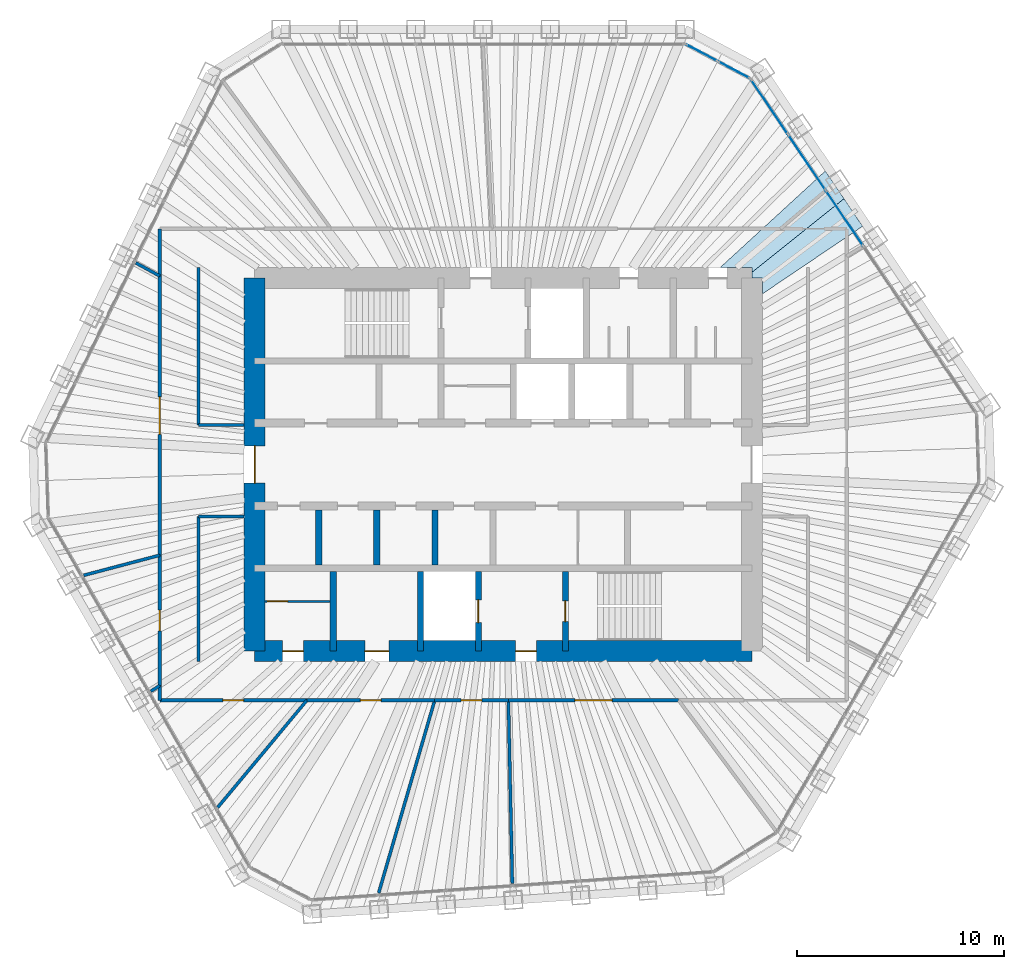
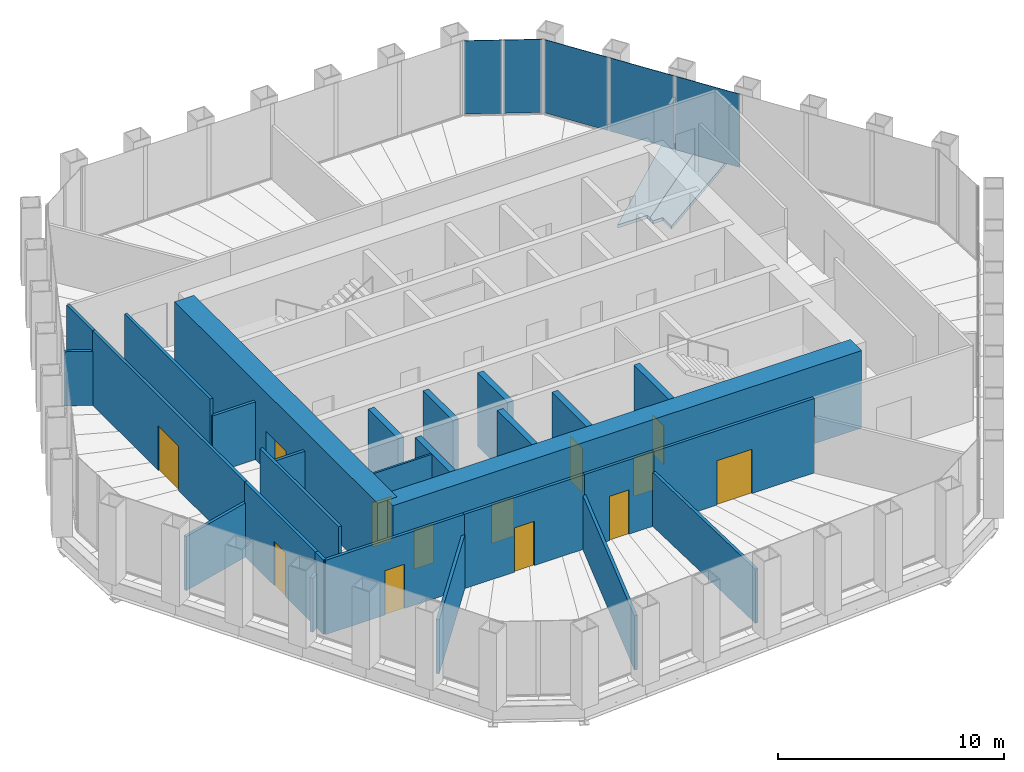
# One storey, part 11 of 14: 28 walls, 13 doors, 5 plates, 2 slabs, 13 openings, 2 elements without a shape of their own.
"""IFC4 building model written with IfcOpenShell, lengths in metres."""

from ifc_helpers import new_model, si_unit, direction, frame, frame_2d, origin, origin_2d, place, context, subcontext, project, spatial, polyline, rectangle, outline, extrude, material, layer, layer_set, type_object, element, fill, aggregate, save


model = new_model("IFC4")

# Units and contexts
model_context = context("Model", 3, precision=1e-05, world=origin(), true_north=direction((0.0, 1.0)))
body_context = subcontext(model_context, "Body", "Model", "MODEL_VIEW")
ifc_project = project(units=[si_unit("LENGTHUNIT", "METRE"), si_unit("AREAUNIT", "SQUARE_METRE"), si_unit("VOLUMEUNIT", "CUBIC_METRE"), si_unit("PLANEANGLEUNIT", "RADIAN"), si_unit("MASSUNIT", "GRAM", prefix="KILO")], contexts=[model_context])

# Site, building, storey
site_placement = place(None, origin())
site = spatial("IfcSite", under=ifc_project, at=site_placement, CompositionType="ELEMENT")
building_placement = place(site_placement, origin())
building = spatial("IfcBuilding", under=site, at=building_placement, Name="Qingtian Harvest Tower", CompositionType="ELEMENT")
storey_placement = place(building_placement, frame((0.0, 0.0, 295.60009765625)))
storey = spatial("IfcBuildingStorey", under=building, at=storey_placement, Name="L65", CompositionType="ELEMENT", Elevation=295.60009765625)

# Slabs
ifc_material_1 = material(Name="Concrete fc' 35 MPa", Category="concrete")
ifc_layer_1 = layer(ifc_material_1, 0.169921875)
ifc_layer_set_1 = layer_set([ifc_layer_1], Name="Composite floor slab FS17 170")
slab_type = type_object("IfcSlabType", Name="Composite floor slab FS17 170", PredefinedType="FLOOR", material=ifc_layer_set_1)
slab_1_placement = place(storey_placement, frame((0.0, 0.0, -0.170166015625)))
element("IfcSlab", 1, at=slab_1_placement, inside=storey, type_object=slab_type, Name="Floor slab L65 panel D47", PredefinedType="FLOOR", context=body_context, shape_type="SweptSolid", body=[
    extrude(outline(polyline([(12.5, 9.0), (12.0, 9.0), (12.0, 9.2734375), (16.44189453125, 12.829345703125), (17.341064453125, 11.496337890625), (12.5, 8.22998046875), (12.5, 9.0)])), origin(), (0.0, 0.0, 1.0), 0.170166015625),
])
slab_2_placement = place(storey_placement, frame((0.0, 0.0, -0.170166015625)))
element("IfcSlab", 2, at=slab_2_placement, inside=storey, type_object=slab_type, Name="Floor slab L65 panel D48", PredefinedType="FLOOR", context=body_context, shape_type="SweptSolid", body=[
    extrude(outline(polyline([(12.0, 9.5), (10.4599609375, 9.5), (15.541259765625, 14.16455078125), (16.44189453125, 12.829345703125), (12.0, 9.2734375), (12.0, 9.5)])), origin(), (0.0, 0.0, 1.0), 0.170166015625),
])

# Curtain wall, plates
ifc_material_2 = material(Name="Bronze-anodised aluminium curtain wall", Category="aluminium")
curtain_wall_type = type_object("IfcCurtainWallType", Name="Curtain wall CW5 upper office", PredefinedType="USERDEFINED", material=ifc_material_2)
curtain_wall_1_placement = place(storey_placement, origin())
curtain_wall_1 = element("IfcCurtainWall", 3, at=curtain_wall_1_placement, inside=storey, type_object=curtain_wall_type, Name="Curtain wall CW5 L65 NC", ObjectType="RECESSED CURTAIN WALL", PredefinedType="USERDEFINED")
ifc_material_3 = material(Name="Bronze-tinted laminated insulating glass", Category="glass")
ifc_layer_2 = layer(ifc_material_3, 0.030029296875)
ifc_layer_set_2 = layer_set([ifc_layer_2], Name="Glazed panel CWP tinted IGU")
plate_type = type_object("IfcPlateType", Name="Glazed panel CWP tinted IGU", PredefinedType="CURTAIN_PANEL", material=ifc_layer_set_2)
plate_1_placement = place(storey_placement, frame((9.57080078125, 19.8720703125, 0.06494140625), z_axis=(0.0, 0.0, 1.0), x_axis=(0.882947592859, -0.469471562786, 0.0)))
plate_1 = element("IfcPlate", 4, at=plate_1_placement, type_object=plate_type, Name="CW5 panel 1.1", PredefinedType="CURTAIN_PANEL", context=body_context, shape_type="SweptSolid", body=[
    extrude(rectangle(XDim=1.69287109375, YDim=0.030029296875, at=origin_2d()), origin(), (0.0, 0.0, 1.0), 3.965087890625),
])
plate_2_placement = place(storey_placement, frame((11.122802734375, 19.046875, 0.06494140625), z_axis=(0.0, 0.0, 1.0), x_axis=(0.882947592859, -0.469471562786, 0.0)))
plate_2 = element("IfcPlate", 5, at=plate_2_placement, type_object=plate_type, Name="CW5 panel 2.1", PredefinedType="CURTAIN_PANEL", context=body_context, shape_type="SweptSolid", body=[
    extrude(rectangle(XDim=1.69287109375, YDim=0.030029296875, at=origin_2d()), origin(), (0.0, 0.0, 1.0), 3.965087890625),
])
aggregate(curtain_wall_1, [plate_1, plate_2])

curtain_wall_2_placement = place(storey_placement, origin())
curtain_wall_2 = element("IfcCurtainWall", 6, at=curtain_wall_2_placement, inside=storey, type_object=curtain_wall_type, Name="Curtain wall CW5 L65 NE0-5", ObjectType="RECESSED CURTAIN WALL", PredefinedType="USERDEFINED")
plate_3_placement = place(storey_placement, frame((12.844970703125, 17.259033203125, 0.06494140625), z_axis=(0.0, 0.0, 1.0), x_axis=(0.559192903471, -0.829037572555, 0.0)))
plate_3 = element("IfcPlate", 7, at=plate_3_placement, type_object=plate_type, Name="CW5 panel 1.1", PredefinedType="CURTAIN_PANEL", context=body_context, shape_type="SweptSolid", body=[
    extrude(rectangle(XDim=3.150634765625, YDim=0.030029296875, at=origin_2d()), origin(), (0.0, 0.0, 1.0), 3.965087890625),
])
plate_4_placement = place(storey_placement, frame((14.652099609375, 14.579833984375, 0.06494140625), z_axis=(0.0, 0.0, 1.0), x_axis=(0.559192903471, -0.829037572555, 0.0)))
plate_4 = element("IfcPlate", 8, at=plate_4_placement, type_object=plate_type, Name="CW5 panel 2.1", PredefinedType="CURTAIN_PANEL", context=body_context, shape_type="SweptSolid", body=[
    extrude(rectangle(XDim=3.18310546875, YDim=0.030029296875, at=origin_2d()), origin(), (0.0, 0.0, 1.0), 3.965087890625),
])
plate_5_placement = place(storey_placement, frame((16.46826171875, 11.886962890625, 0.06494140625), z_axis=(0.0, 0.0, 1.0), x_axis=(0.559192903471, -0.829037572555, 0.0)))
plate_5 = element("IfcPlate", 9, at=plate_5_placement, type_object=plate_type, Name="CW5 panel 3.1", PredefinedType="CURTAIN_PANEL", context=body_context, shape_type="SweptSolid", body=[
    extrude(rectangle(XDim=3.18310546875, YDim=0.030029296875, at=origin_2d()), origin(), (0.0, 0.0, 1.0), 3.965087890625),
])
aggregate(curtain_wall_2, [plate_3, plate_4, plate_5])

# Walls
ifc_material_4 = material(Name="Precast concrete shaft panel", Category="concrete")
ifc_layer_3 = layer(ifc_material_4, 0.300048828125)
ifc_layer_set_3 = layer_set([ifc_layer_3], Name="Core shaft partition SW1 300")
wall_type_1 = type_object("IfcWallType", Name="Core shaft partition SW1 300", PredefinedType="PARTITIONING", material=ifc_layer_set_3)
for number, where, z_axis, x_axis, name in (
    (10, (-8.89990234375, -4.85009765625, 0.0), (0.0, 0.0, 1.0), (0.0, 1.0, 0.0), "Core shaft partition XB1 L65"),
    (11, (-6.10009765625, -4.85009765625, 0.0), (0.0, 0.0, 1.0), (0.0, 1.0, 0.0), "Core shaft partition XB2 L65"),
    (12, (-3.300048828125, -4.85009765625, 0.0), (0.0, 0.0, 1.0), (0.0, 1.0, 0.0), "Core shaft partition XB3 L65"),
):
    element("IfcWall", number, at=place(storey_placement, frame(where, z_axis=z_axis, x_axis=x_axis)), inside=storey, type_object=wall_type_1, Name=name, PredefinedType="PARTITIONING", context=body_context, shape_type="SweptSolid", body=[
        extrude(rectangle(XDim=2.650146484375, YDim=0.300048828125, at=frame_2d((1.3251953125, 0.0))), origin(), (0.0, 0.0, 1.0), 3.97998046875),
    ])
for number, where, z_axis, x_axis, name in (
    (13, (-8.199951171875, -9.0, 0.0), (0.0, 0.0, 1.0), (0.0, 1.0, 0.0), "Core shaft partition XS1 L65"),
    (14, (-4.0, -9.0, 0.0), (0.0, 0.0, 1.0), (0.0, 1.0, 0.0), "Core shaft partition XS2 L65"),
):
    element("IfcWall", number, at=place(storey_placement, frame(where, z_axis=z_axis, x_axis=x_axis)), inside=storey, type_object=wall_type_1, Name=name, PredefinedType="PARTITIONING", context=body_context, shape_type="SweptSolid", body=[
        extrude(rectangle(XDim=3.85009765625, YDim=0.300048828125, at=frame_2d((1.925048828125, 0.0))), origin(), (0.0, 0.0, 1.0), 3.97998046875),
    ])

# Wall, opening, door
wall_1_placement = place(storey_placement, frame((-1.199951171875, -9.0, 0.0), z_axis=(0.0, 0.0, 1.0), x_axis=(0.0, 1.0, 0.0)))
wall_1 = element("IfcWall", 15, at=wall_1_placement, inside=storey, type_object=wall_type_1, Name="Core shaft partition XS3 L65", PredefinedType="PARTITIONING", context=body_context, shape_type="SweptSolid", body=[
    extrude(rectangle(XDim=3.85009765625, YDim=0.300048828125, at=frame_2d((1.925048828125, 0.0))), origin(), (0.0, 0.0, 1.0), 3.97998046875),
])
opening_1_placement = place(wall_1_placement, frame((1.375, 0.0, 0.0)))
opening_1 = element("IfcOpeningElement", 16, at=opening_1_placement, cuts=wall_1, Name="Opening LD1", PredefinedType="OPENING", context=body_context, shape_type="SweptSolid", body=[
    extrude(rectangle(XDim=1.10009765625, YDim=2.39990234375, at=frame_2d((0.550048828125, 1.199951171875))), frame((0.0, 0.159912109375, 0.0), z_axis=(0.0, -1.0, 0.0), x_axis=(1.0, 0.0, 0.0)), (0.0, 0.0, 1.0), 0.320068359375),
])
ifc_material_5 = material(Name="Stainless steel lift landing door", Category="steel")
door_type_1 = type_object("IfcDoorType", Name="Lift landing door LD1 1 HR", OperationType="DOUBLE_DOOR_SLIDING", PredefinedType="DOOR", material=ifc_material_5)
door_1_placement = place(opening_1_placement, origin())
door_1 = element("IfcDoor", 17, at=door_1_placement, inside=storey, type_object=door_type_1, Name="FL2 landing door L65", OperationType="DOUBLE_DOOR_SLIDING", OverallHeight=2.39990234375, OverallWidth=1.10009765625, PredefinedType="DOOR", context=body_context, shape_type="SweptSolid", body=[
    extrude(rectangle(XDim=1.10009765625, YDim=2.39990234375, at=frame_2d((0.550048828125, 1.199951171875))), frame((0.0, 0.02490234375, 0.0), z_axis=(0.0, -1.0, 0.0), x_axis=(1.0, 0.0, 0.0)), (0.0, 0.0, 1.0), 0.050048828125),
])
fill(opening_1, door_1)

wall_2_placement = place(storey_placement, frame((3.0, -9.0, 0.0), z_axis=(0.0, 0.0, 1.0), x_axis=(0.0, 1.0, 0.0)))
wall_2 = element("IfcWall", 18, at=wall_2_placement, inside=storey, type_object=wall_type_1, Name="Core shaft partition XS4 L65", PredefinedType="PARTITIONING", context=body_context, shape_type="SweptSolid", body=[
    extrude(rectangle(XDim=3.85009765625, YDim=0.300048828125, at=frame_2d((1.925048828125, 0.0))), origin(), (0.0, 0.0, 1.0), 3.97998046875),
])
opening_2_placement = place(wall_2_placement, frame((1.425048828125, 0.0, 0.0)))
opening_2 = element("IfcOpeningElement", 19, at=opening_2_placement, cuts=wall_2, Name="Opening FD1", PredefinedType="OPENING", context=body_context, shape_type="SweptSolid", body=[
    extrude(rectangle(XDim=1.0, YDim=2.10009765625, at=frame_2d((0.5, 1.050048828125))), frame((0.0, 0.159912109375, 0.0), z_axis=(0.0, -1.0, 0.0), x_axis=(1.0, 0.0, 0.0)), (0.0, 0.0, 1.0), 0.320068359375),
])
ifc_material_6 = material(Name="Steel-faced door leaf", Category="steel")
door_type_2 = type_object("IfcDoorType", Name="Fire door FD1 single 1 HR", OperationType="SINGLE_SWING_LEFT", PredefinedType="DOOR", material=ifc_material_6)
door_2_placement = place(opening_2_placement, origin())
door_2 = element("IfcDoor", 20, at=door_2_placement, inside=storey, type_object=door_type_2, Name="S2 door L65", OperationType="SINGLE_SWING_RIGHT", OverallHeight=2.10009765625, OverallWidth=1.0, PredefinedType="DOOR", context=body_context, shape_type="SweptSolid", body=[
    extrude(rectangle(XDim=1.0, YDim=2.10009765625, at=frame_2d((0.5, 1.050048828125))), frame((0.0, 0.02490234375, 0.0), z_axis=(0.0, -1.0, 0.0), x_axis=(1.0, 0.0, 0.0)), (0.0, 0.0, 1.0), 0.050048828125),
])
fill(opening_2, door_2)

# Wall, openings, doors
ifc_material_7 = material(Name="Concrete fc' 70 MPa", Category="concrete")
ifc_layer_4 = layer(ifc_material_7, 1.0)
ifc_layer_set_4 = layer_set([ifc_layer_4], Name="Core wall RC3 1000")
wall_type_2 = type_object("IfcWallType", Name="Core wall RC3 1000", PredefinedType="SHEAR", material=ifc_layer_set_4)
wall_3_placement = place(storey_placement, frame((-12.0, -9.0, 0.0), z_axis=(0.0, 0.0, 1.0), x_axis=(1.0, 0.0, 0.0)))
wall_3 = element("IfcWall", 21, at=wall_3_placement, inside=storey, type_object=wall_type_2, Name="Core wall CS L65", PredefinedType="SHEAR", context=body_context, shape_type="SweptSolid", body=[
    extrude(rectangle(XDim=24.0, YDim=1.0, at=frame_2d((12.0, 0.0))), origin(), (0.0, 0.0, 1.0), 4.199951171875),
])
opening_3_placement = place(wall_3_placement, frame((1.35009765625, 0.0, 0.0)))
opening_3 = element("IfcOpeningElement", 22, at=opening_3_placement, cuts=wall_3, Name="Opening FD1", PredefinedType="OPENING", context=body_context, shape_type="SweptSolid", body=[
    extrude(rectangle(XDim=1.0, YDim=2.10009765625, at=frame_2d((0.5, 1.050048828125))), frame((0.0, 0.510009765625, 0.0), z_axis=(0.0, -1.0, 0.0), x_axis=(1.0, 0.0, 0.0)), (0.0, 0.0, 1.0), 1.02001953125),
])
opening_4_placement = place(wall_3_placement, frame((5.324951171875, 0.0, 0.0)))
opening_4 = element("IfcOpeningElement", 23, at=opening_4_placement, cuts=wall_3, Name="Opening AD1", PredefinedType="OPENING", context=body_context, shape_type="SweptSolid", body=[
    extrude(rectangle(XDim=1.14990234375, YDim=2.10009765625, at=frame_2d((0.574951171875, 1.050048828125))), frame((0.0, 0.510009765625, 0.0), z_axis=(0.0, -1.0, 0.0), x_axis=(1.0, 0.0, 0.0)), (0.0, 0.0, 1.0), 1.02001953125),
])
opening_5_placement = place(wall_3_placement, frame((12.60009765625, 0.0, 0.0)))
opening_5 = element("IfcOpeningElement", 24, at=opening_5_placement, cuts=wall_3, Name="Opening FD1", PredefinedType="OPENING", context=body_context, shape_type="SweptSolid", body=[
    extrude(rectangle(XDim=1.0, YDim=2.10009765625, at=frame_2d((0.5, 1.050048828125))), frame((0.0, 0.510009765625, 0.0), z_axis=(0.0, -1.0, 0.0), x_axis=(1.0, 0.0, 0.0)), (0.0, 0.0, 1.0), 1.02001953125),
])
ifc_material_8 = material(Name="Laminated timber door leaf", Category="wood")
door_type_3 = type_object("IfcDoorType", Name="Accessible WC door AD1 single", OperationType="SINGLE_SWING_LEFT", PredefinedType="DOOR", material=ifc_material_8)
door_3_placement = place(opening_4_placement, origin())
door_3 = element("IfcDoor", 25, at=door_3_placement, inside=storey, type_object=door_type_3, Name="AWC door L65", OperationType="SINGLE_SWING_LEFT", OverallHeight=2.10009765625, OverallWidth=1.14990234375, PredefinedType="DOOR", context=body_context, shape_type="SweptSolid", body=[
    extrude(rectangle(XDim=1.14990234375, YDim=2.10009765625, at=frame_2d((0.574951171875, 1.050048828125))), frame((0.0, 0.02490234375, 0.0), z_axis=(0.0, -1.0, 0.0), x_axis=(1.0, 0.0, 0.0)), (0.0, 0.0, 1.0), 0.050048828125),
])
fill(opening_4, door_3)
door_4_placement = place(opening_3_placement, origin())
door_4 = element("IfcDoor", 26, at=door_4_placement, inside=storey, type_object=door_type_2, Name="CLN door L65", OperationType="SINGLE_SWING_RIGHT", OverallHeight=2.10009765625, OverallWidth=1.0, PredefinedType="DOOR", context=body_context, shape_type="SweptSolid", body=[
    extrude(rectangle(XDim=1.0, YDim=2.10009765625, at=frame_2d((0.5, 1.050048828125))), frame((0.0, 0.02490234375, 0.0), z_axis=(0.0, -1.0, 0.0), x_axis=(1.0, 0.0, 0.0)), (0.0, 0.0, 1.0), 0.050048828125),
])
fill(opening_3, door_4)
door_5_placement = place(opening_5_placement, origin())
door_5 = element("IfcDoor", 27, at=door_5_placement, inside=storey, type_object=door_type_2, Name="V2 door L65", OperationType="SINGLE_SWING_LEFT", OverallHeight=2.10009765625, OverallWidth=1.0, PredefinedType="DOOR", context=body_context, shape_type="SweptSolid", body=[
    extrude(rectangle(XDim=1.0, YDim=2.10009765625, at=frame_2d((0.5, 1.050048828125))), frame((0.0, 0.02490234375, 0.0), z_axis=(0.0, -1.0, 0.0), x_axis=(1.0, 0.0, 0.0)), (0.0, 0.0, 1.0), 0.050048828125),
])
fill(opening_5, door_5)

# Wall, opening, door
wall_4_placement = place(storey_placement, frame((-12.0, -9.0, 0.0), z_axis=(0.0, 0.0, 1.0), x_axis=(0.0, 1.0, 0.0)))
wall_4 = element("IfcWall", 28, at=wall_4_placement, inside=storey, type_object=wall_type_2, Name="Core wall CW L65", PredefinedType="SHEAR", context=body_context, shape_type="SweptSolid", body=[
    extrude(rectangle(XDim=18.0, YDim=1.0, at=frame_2d((9.0, 0.0))), origin(), (0.0, 0.0, 1.0), 4.199951171875),
])
opening_6_placement = place(wall_4_placement, frame((8.10009765625, 0.0, 0.0)))
opening_6 = element("IfcOpeningElement", 29, at=opening_6_placement, cuts=wall_4, Name="Opening FD2", PredefinedType="OPENING", context=body_context, shape_type="SweptSolid", body=[
    extrude(rectangle(XDim=1.800048828125, YDim=2.10009765625, at=frame_2d((0.89990234375, 1.050048828125))), frame((0.0, 0.510009765625, 0.0), z_axis=(0.0, -1.0, 0.0), x_axis=(1.0, 0.0, 0.0)), (0.0, 0.0, 1.0), 1.02001953125),
])
ifc_material_9 = material(Name="Steel-faced door leaf", Category="steel")
door_type_4 = type_object("IfcDoorType", Name="Fire door FD2 double 1 HR", OperationType="DOUBLE_DOOR_DOUBLE_SWING", PredefinedType="DOOR", material=ifc_material_9)
door_6_placement = place(opening_6_placement, origin())
door_6 = element("IfcDoor", 30, at=door_6_placement, inside=storey, type_object=door_type_4, Name="LOBBY-W door L65", OperationType="DOUBLE_DOOR_DOUBLE_SWING", OverallHeight=2.10009765625, OverallWidth=1.800048828125, PredefinedType="DOOR", context=body_context, shape_type="SweptSolid", body=[
    extrude(rectangle(XDim=1.800048828125, YDim=2.10009765625, at=frame_2d((0.89990234375, 1.050048828125))), frame((0.0, 0.02490234375, 0.0), z_axis=(0.0, -1.0, 0.0), x_axis=(1.0, 0.0, 0.0)), (0.0, 0.0, 1.0), 0.050048828125),
])
fill(opening_6, door_6)

# Walls
ifc_material_10 = material(Name="Gypsum board on steel studs", Category="steel")
ifc_layer_5 = layer(ifc_material_10, 0.14990234375)
ifc_layer_set_5 = layer_set([ifc_layer_5], Name="Partition PT1 150")
wall_type_3 = type_object("IfcWallType", Name="Partition PT1 150", PredefinedType="PARTITIONING", material=ifc_layer_set_5)
wall_5_placement = place(storey_placement, frame((-17.72900390625, 9.72998046875, 0.0), z_axis=(0.0, 0.0, 1.0), x_axis=(0.87667364743, -0.481085559855, 0.0)))
element("IfcWall", 31, at=wall_5_placement, inside=storey, type_object=wall_type_3, Name="Workplace zone wall L65", PredefinedType="PARTITIONING", context=body_context, shape_type="SweptSolid", body=[
    extrude(rectangle(XDim=1.31640625, YDim=0.14990234375, at=frame_2d((0.658203125, 0.0))), origin(), (0.0, 0.0, 1.0), 2.929931640625),
])
wall_6_placement = place(storey_placement, frame((-16.574951171875, 9.0966796875, 0.0), z_axis=(0.0, 0.0, 1.0), x_axis=(0.0, 1.0, 0.0)))
element("IfcWall", 32, at=wall_6_placement, inside=storey, type_object=wall_type_3, Name="Workplace zone wall L65", PredefinedType="PARTITIONING", context=body_context, shape_type="SweptSolid", body=[
    extrude(rectangle(XDim=2.2783203125, YDim=0.14990234375, at=frame_2d((1.13916015625, 0.0))), origin(), (0.0, 0.0, 1.0), 4.02978515625),
])

# Wall, opening, door
wall_7_placement = place(storey_placement, frame((8.46142578125, -11.375, 0.0), z_axis=(0.0, 0.0, 1.0), x_axis=(-1.0, 0.0, 0.0)))
wall_7 = element("IfcWall", 33, at=wall_7_placement, inside=storey, type_object=wall_type_3, Name="Workplace zone wall L65", PredefinedType="PARTITIONING", context=body_context, shape_type="SweptSolid", body=[
    extrude(rectangle(XDim=8.21484375, YDim=0.14990234375, at=frame_2d((4.107421875, 0.0))), origin(), (0.0, 0.0, 1.0), 4.02978515625),
])
opening_7_placement = place(wall_7_placement, frame((3.20751953125, 0.0, 0.0)))
opening_7 = element("IfcOpeningElement", 34, at=opening_7_placement, cuts=wall_7, Name="Opening D3", PredefinedType="OPENING", context=body_context, shape_type="SweptSolid", body=[
    extrude(rectangle(XDim=1.800048828125, YDim=2.39990234375, at=frame_2d((0.89990234375, 1.199951171875))), frame((0.0, 0.0849609375, 0.0), z_axis=(0.0, -1.0, 0.0), x_axis=(1.0, 0.0, 0.0)), (0.0, 0.0, 1.0), 0.169921875),
])
ifc_material_11 = material(Name="Laminated timber door leaf", Category="wood")
door_type_5 = type_object("IfcDoorType", Name="Room door D3 double", OperationType="DOUBLE_DOOR_DOUBLE_SWING", PredefinedType="DOOR", material=ifc_material_11)
door_7_placement = place(opening_7_placement, origin())
door_7 = element("IfcDoor", 35, at=door_7_placement, inside=storey, type_object=door_type_5, Name="Workplace zone door L65", OperationType="DOUBLE_DOOR_DOUBLE_SWING", OverallHeight=2.39990234375, OverallWidth=1.800048828125, PredefinedType="DOOR", context=body_context, shape_type="SweptSolid", body=[
    extrude(rectangle(XDim=1.800048828125, YDim=2.39990234375, at=frame_2d((0.89990234375, 1.199951171875))), frame((0.0, 0.02490234375, 0.0), z_axis=(0.0, -1.0, 0.0), x_axis=(1.0, 0.0, 0.0)), (0.0, 0.0, 1.0), 0.050048828125),
])
fill(opening_7, door_7)

# Wall
wall_8_placement = place(storey_placement, frame((0.43798828125, -20.21875, 0.0), z_axis=(0.0, 0.0, 1.0), x_axis=(-0.021638042243, 0.999765870156, 0.0)))
element("IfcWall", 36, at=wall_8_placement, inside=storey, type_object=wall_type_3, Name="Pantry wall L65", PredefinedType="PARTITIONING", context=body_context, shape_type="SweptSolid", body=[
    extrude(rectangle(XDim=8.845703125, YDim=0.14990234375, at=frame_2d((4.4228515625, 0.0))), origin(), (0.0, 0.0, 1.0), 2.929931640625),
])

# Wall, opening, door
wall_9_placement = place(storey_placement, frame((0.24658203125, -11.375, 0.0), z_axis=(0.0, 0.0, 1.0), x_axis=(-1.0, 0.0, 0.0)))
wall_9 = element("IfcWall", 37, at=wall_9_placement, inside=storey, type_object=wall_type_3, Name="Pantry wall L65", PredefinedType="PARTITIONING", context=body_context, shape_type="SweptSolid", body=[
    extrude(rectangle(XDim=3.55419921875, YDim=0.14990234375, at=frame_2d((1.777099609375, 0.0))), origin(), (0.0, 0.0, 1.0), 4.02978515625),
])
opening_8_placement = place(wall_9_placement, frame((1.277099609375, 0.0, 0.0)))
opening_8 = element("IfcOpeningElement", 38, at=opening_8_placement, cuts=wall_9, Name="Opening D2", PredefinedType="OPENING", context=body_context, shape_type="SweptSolid", body=[
    extrude(rectangle(XDim=1.0, YDim=2.39990234375, at=frame_2d((0.5, 1.199951171875))), frame((0.0, 0.0849609375, 0.0), z_axis=(0.0, -1.0, 0.0), x_axis=(1.0, 0.0, 0.0)), (0.0, 0.0, 1.0), 0.169921875),
])
ifc_material_12 = material(Name="Laminated timber door leaf", Category="wood")
door_type_6 = type_object("IfcDoorType", Name="Room door D2 single", OperationType="SINGLE_SWING_LEFT", PredefinedType="DOOR", material=ifc_material_12)
door_8_placement = place(opening_8_placement, origin())
door_8 = element("IfcDoor", 39, at=door_8_placement, inside=storey, type_object=door_type_6, Name="Pantry door L65", OperationType="SINGLE_SWING_LEFT", OverallHeight=2.39990234375, OverallWidth=1.0, PredefinedType="DOOR", context=body_context, shape_type="SweptSolid", body=[
    extrude(rectangle(XDim=1.0, YDim=2.39990234375, at=frame_2d((0.5, 1.199951171875))), frame((0.0, 0.02490234375, 0.0), z_axis=(0.0, -1.0, 0.0), x_axis=(1.0, 0.0, 0.0)), (0.0, 0.0, 1.0), 0.050048828125),
])
fill(opening_8, door_8)

# Wall
wall_10_placement = place(storey_placement, frame((-6.011962890625, -20.67578125, 0.0), z_axis=(0.0, 0.0, 1.0), x_axis=(0.279202358069, 0.960232286089, 0.0)))
element("IfcWall", 40, at=wall_10_placement, inside=storey, type_object=wall_type_3, Name="Focus room wall L65", PredefinedType="PARTITIONING", context=body_context, shape_type="SweptSolid", body=[
    extrude(rectangle(XDim=9.68603515625, YDim=0.14990234375, at=frame_2d((4.843017578125, 0.0))), origin(), (0.0, 0.0, 1.0), 2.929931640625),
])

# Wall, opening, door
wall_11_placement = place(storey_placement, frame((-3.3076171875, -11.375, 0.0), z_axis=(0.0, 0.0, 1.0), x_axis=(-1.0, 0.0, 0.0)))
wall_11 = element("IfcWall", 41, at=wall_11_placement, inside=storey, type_object=wall_type_3, Name="Focus room wall L65", PredefinedType="PARTITIONING", context=body_context, shape_type="SweptSolid", body=[
    extrude(rectangle(XDim=6.165283203125, YDim=0.14990234375, at=frame_2d((3.08251953125, 0.0))), origin(), (0.0, 0.0, 1.0), 4.02978515625),
])
opening_9_placement = place(wall_11_placement, frame((2.582763671875, 0.0, 0.0)))
opening_9 = element("IfcOpeningElement", 42, at=opening_9_placement, cuts=wall_11, Name="Opening D2", PredefinedType="OPENING", context=body_context, shape_type="SweptSolid", body=[
    extrude(rectangle(XDim=1.0, YDim=2.39990234375, at=frame_2d((0.5, 1.199951171875))), frame((0.0, 0.0849609375, 0.0), z_axis=(0.0, -1.0, 0.0), x_axis=(1.0, 0.0, 0.0)), (0.0, 0.0, 1.0), 0.169921875),
])
door_9_placement = place(opening_9_placement, origin())
door_9 = element("IfcDoor", 43, at=door_9_placement, inside=storey, type_object=door_type_6, Name="Focus room door L65", OperationType="SINGLE_SWING_LEFT", OverallHeight=2.39990234375, OverallWidth=1.0, PredefinedType="DOOR", context=body_context, shape_type="SweptSolid", body=[
    extrude(rectangle(XDim=1.0, YDim=2.39990234375, at=frame_2d((0.5, 1.199951171875))), frame((0.0, 0.02490234375, 0.0), z_axis=(0.0, -1.0, 0.0), x_axis=(1.0, 0.0, 0.0)), (0.0, 0.0, 1.0), 0.050048828125),
])
fill(opening_9, door_9)

# Wall
wall_12_placement = place(storey_placement, frame((-13.779296875, -16.546142578125, 0.0), z_axis=(0.0, 0.0, 1.0), x_axis=(0.63993100432, 0.768432371592, 0.0)))
element("IfcWall", 44, at=wall_12_placement, inside=storey, type_object=wall_type_3, Name="Print room wall L65", PredefinedType="PARTITIONING", context=body_context, shape_type="SweptSolid", body=[
    extrude(rectangle(XDim=6.7294921875, YDim=0.14990234375, at=frame_2d((3.36474609375, 0.0))), origin(), (0.0, 0.0, 1.0), 2.929931640625),
])

# Wall, opening, door
wall_13_placement = place(storey_placement, frame((-9.472900390625, -11.375, 0.0), z_axis=(0.0, 0.0, 1.0), x_axis=(-1.0, 0.0, 0.0)))
wall_13 = element("IfcWall", 45, at=wall_13_placement, inside=storey, type_object=wall_type_3, Name="Print room wall L65", PredefinedType="PARTITIONING", context=body_context, shape_type="SweptSolid", body=[
    extrude(rectangle(XDim=7.10205078125, YDim=0.14990234375, at=frame_2d((3.551025390625, 0.0))), origin(), (0.0, 0.0, 1.0), 4.02978515625),
])
opening_10_placement = place(wall_13_placement, frame((3.051025390625, 0.0, 0.0)))
opening_10 = element("IfcOpeningElement", 46, at=opening_10_placement, cuts=wall_13, Name="Opening D2", PredefinedType="OPENING", context=body_context, shape_type="SweptSolid", body=[
    extrude(rectangle(XDim=1.0, YDim=2.39990234375, at=frame_2d((0.5, 1.199951171875))), frame((0.0, 0.0849609375, 0.0), z_axis=(0.0, -1.0, 0.0), x_axis=(1.0, 0.0, 0.0)), (0.0, 0.0, 1.0), 0.169921875),
])
door_10_placement = place(opening_10_placement, origin())
door_10 = element("IfcDoor", 47, at=door_10_placement, inside=storey, type_object=door_type_6, Name="Print room door L65", OperationType="SINGLE_SWING_LEFT", OverallHeight=2.39990234375, OverallWidth=1.0, PredefinedType="DOOR", context=body_context, shape_type="SweptSolid", body=[
    extrude(rectangle(XDim=1.0, YDim=2.39990234375, at=frame_2d((0.5, 1.199951171875))), frame((0.0, 0.02490234375, 0.0), z_axis=(0.0, -1.0, 0.0), x_axis=(1.0, 0.0, 0.0)), (0.0, 0.0, 1.0), 0.050048828125),
])
fill(opening_10, door_10)

# Walls
wall_14_placement = place(storey_placement, frame((-16.574951171875, -11.375, 0.0), z_axis=(0.0, 0.0, 1.0), x_axis=(0.0, 1.0, 0.0)))
element("IfcWall", 48, at=wall_14_placement, inside=storey, type_object=wall_type_3, Name="Print room wall L65", PredefinedType="PARTITIONING", context=body_context, shape_type="SweptSolid", body=[
    extrude(rectangle(XDim=0.7099609375, YDim=0.14990234375, at=frame_2d((0.35498046875, 0.0))), origin(), (0.0, 0.0, 1.0), 4.02978515625),
])
wall_15_placement = place(storey_placement, frame((-17.007080078125, -10.943115234375, 0.0), z_axis=(0.0, 0.0, 1.0), x_axis=(0.840931402951, 0.541141733311, 0.0)))
element("IfcWall", 49, at=wall_15_placement, inside=storey, type_object=wall_type_3, Name="Meeting room wall L65", PredefinedType="PARTITIONING", context=body_context, shape_type="SweptSolid", body=[
    extrude(rectangle(XDim=0.513916015625, YDim=0.14990234375, at=frame_2d((0.2568359375, 0.0))), origin(), (0.0, 0.0, 1.0), 2.929931640625),
])

# Wall, opening, door
wall_16_placement = place(storey_placement, frame((-16.574951171875, -10.6650390625, 0.0), z_axis=(0.0, 0.0, 1.0), x_axis=(0.0, 1.0, 0.0)))
wall_16 = element("IfcWall", 50, at=wall_16_placement, inside=storey, type_object=wall_type_3, Name="Meeting room wall L65", PredefinedType="PARTITIONING", context=body_context, shape_type="SweptSolid", body=[
    extrude(rectangle(XDim=6.287841796875, YDim=0.14990234375, at=frame_2d((3.14404296875, 0.0))), origin(), (0.0, 0.0, 1.0), 4.02978515625),
])
opening_11_placement = place(wall_16_placement, frame((2.643798828125, 0.0, 0.0)))
opening_11 = element("IfcOpeningElement", 51, at=opening_11_placement, cuts=wall_16, Name="Opening D2", PredefinedType="OPENING", context=body_context, shape_type="SweptSolid", body=[
    extrude(rectangle(XDim=1.0, YDim=2.39990234375, at=frame_2d((0.5, 1.199951171875))), frame((0.0, 0.0849609375, 0.0), z_axis=(0.0, -1.0, 0.0), x_axis=(1.0, 0.0, 0.0)), (0.0, 0.0, 1.0), 0.169921875),
])
door_11_placement = place(opening_11_placement, origin())
door_11 = element("IfcDoor", 52, at=door_11_placement, inside=storey, type_object=door_type_6, Name="Meeting room door L65", OperationType="SINGLE_SWING_LEFT", OverallHeight=2.39990234375, OverallWidth=1.0, PredefinedType="DOOR", context=body_context, shape_type="SweptSolid", body=[
    extrude(rectangle(XDim=1.0, YDim=2.39990234375, at=frame_2d((0.5, 1.199951171875))), frame((0.0, 0.02490234375, 0.0), z_axis=(0.0, -1.0, 0.0), x_axis=(1.0, 0.0, 0.0)), (0.0, 0.0, 1.0), 0.050048828125),
])
fill(opening_11, door_11)

# Wall
wall_17_placement = place(storey_placement, frame((-20.24267578125, -5.345947265625, 0.0), z_axis=(0.0, 0.0, 1.0), x_axis=(0.966843218991, 0.255370691137, 0.0)))
element("IfcWall", 53, at=wall_17_placement, inside=storey, type_object=wall_type_3, Name="Workplace zone wall L65", PredefinedType="PARTITIONING", context=body_context, shape_type="SweptSolid", body=[
    extrude(rectangle(XDim=3.79345703125, YDim=0.14990234375, at=frame_2d((1.896728515625, 0.0))), origin(), (0.0, 0.0, 1.0), 2.929931640625),
])

# Wall, opening, door
wall_18_placement = place(storey_placement, frame((-16.574951171875, -4.377197265625, 0.0), z_axis=(0.0, 0.0, 1.0), x_axis=(0.0, 1.0, 0.0)))
wall_18 = element("IfcWall", 54, at=wall_18_placement, inside=storey, type_object=wall_type_3, Name="Workplace zone wall L65", PredefinedType="PARTITIONING", context=body_context, shape_type="SweptSolid", body=[
    extrude(rectangle(XDim=13.473876953125, YDim=0.14990234375, at=frame_2d((6.73681640625, 0.0))), origin(), (0.0, 0.0, 1.0), 4.02978515625),
])
opening_12_placement = place(wall_18_placement, frame((5.8369140625, 0.0, 0.0)))
opening_12 = element("IfcOpeningElement", 55, at=opening_12_placement, cuts=wall_18, Name="Opening D3", PredefinedType="OPENING", context=body_context, shape_type="SweptSolid", body=[
    extrude(rectangle(XDim=1.800048828125, YDim=2.39990234375, at=frame_2d((0.89990234375, 1.199951171875))), frame((0.0, 0.0849609375, 0.0), z_axis=(0.0, -1.0, 0.0), x_axis=(1.0, 0.0, 0.0)), (0.0, 0.0, 1.0), 0.169921875),
])
door_12_placement = place(opening_12_placement, origin())
door_12 = element("IfcDoor", 56, at=door_12_placement, inside=storey, type_object=door_type_5, Name="Workplace zone door L65", OperationType="DOUBLE_DOOR_DOUBLE_SWING", OverallHeight=2.39990234375, OverallWidth=1.800048828125, PredefinedType="DOOR", context=body_context, shape_type="SweptSolid", body=[
    extrude(rectangle(XDim=1.800048828125, YDim=2.39990234375, at=frame_2d((0.89990234375, 1.199951171875))), frame((0.0, 0.02490234375, 0.0), z_axis=(0.0, -1.0, 0.0), x_axis=(1.0, 0.0, 0.0)), (0.0, 0.0, 1.0), 0.050048828125),
])
fill(opening_12, door_12)

# Walls
wall_19_placement = place(storey_placement, frame((-14.699951171875, 1.89990234375, 0.0), z_axis=(0.0, 0.0, 1.0), x_axis=(0.0, 1.0, 0.0)))
element("IfcWall", 57, at=wall_19_placement, inside=storey, type_object=wall_type_3, Name="Breakout space wall L65", PredefinedType="PARTITIONING", context=body_context, shape_type="SweptSolid", body=[
    extrude(rectangle(XDim=7.60009765625, YDim=0.14990234375, at=frame_2d((3.800048828125, 0.0))), origin(), (0.0, 0.0, 1.0), 4.02978515625),
])
wall_20_placement = place(storey_placement, frame((-12.5, 1.89990234375, 0.0), z_axis=(0.0, 0.0, 1.0), x_axis=(-1.0, 0.0, 0.0)))
element("IfcWall", 58, at=wall_20_placement, inside=storey, type_object=wall_type_3, Name="Breakout space wall L65", PredefinedType="PARTITIONING", context=body_context, shape_type="SweptSolid", body=[
    extrude(rectangle(XDim=2.199951171875, YDim=0.14990234375, at=frame_2d((1.10009765625, 0.0))), origin(), (0.0, 0.0, 1.0), 3.1298828125),
])
wall_21_placement = place(storey_placement, frame((-14.699951171875, -9.5, 0.0), z_axis=(0.0, 0.0, 1.0), x_axis=(0.0, 1.0, 0.0)))
element("IfcWall", 59, at=wall_21_placement, inside=storey, type_object=wall_type_3, Name="Reading area wall L65", PredefinedType="PARTITIONING", context=body_context, shape_type="SweptSolid", body=[
    extrude(rectangle(XDim=7.0, YDim=0.14990234375, at=frame_2d((3.5, 0.0))), origin(), (0.0, 0.0, 1.0), 4.02978515625),
])
wall_22_placement = place(storey_placement, frame((-12.5, -2.5, 0.0), z_axis=(0.0, 0.0, 1.0), x_axis=(-1.0, 0.0, 0.0)))
element("IfcWall", 60, at=wall_22_placement, inside=storey, type_object=wall_type_3, Name="Reading area wall L65", PredefinedType="PARTITIONING", context=body_context, shape_type="SweptSolid", body=[
    extrude(rectangle(XDim=2.199951171875, YDim=0.14990234375, at=frame_2d((1.10009765625, 0.0))), origin(), (0.0, 0.0, 1.0), 3.1298828125),
])

# Wall, opening, door
ifc_material_13 = material(Name="Concrete block partition", Category="concrete")
ifc_layer_6 = layer(ifc_material_13, 0.10009765625)
ifc_layer_set_6 = layer_set([ifc_layer_6], Name="Store partition PT3 100")
wall_type_4 = type_object("IfcWallType", Name="Store partition PT3 100", PredefinedType="PARTITIONING", material=ifc_layer_set_6)
wall_23_placement = place(storey_placement, frame((-11.5, -6.60009765625, 0.0), z_axis=(0.0, 0.0, 1.0), x_axis=(1.0, 0.0, 0.0)))
wall_23 = element("IfcWall", 61, at=wall_23_placement, inside=storey, type_object=wall_type_4, Name="Waste store wall L65", PredefinedType="PARTITIONING", context=body_context, shape_type="SweptSolid", body=[
    extrude(rectangle(XDim=3.14990234375, YDim=0.10009765625, at=frame_2d((1.574951171875, 0.0))), origin(), (0.0, 0.0, 1.0), 3.97998046875),
])
opening_13_placement = place(wall_23_placement, frame((0.10009765625, 0.0, 0.0)))
opening_13 = element("IfcOpeningElement", 62, at=opening_13_placement, cuts=wall_23, Name="Opening D2", PredefinedType="OPENING", context=body_context, shape_type="SweptSolid", body=[
    extrude(rectangle(XDim=1.0, YDim=2.39990234375, at=frame_2d((0.5, 1.199951171875))), frame((0.0, 0.06005859375, 0.0), z_axis=(0.0, -1.0, 0.0), x_axis=(1.0, 0.0, 0.0)), (0.0, 0.0, 1.0), 0.1201171875),
])
door_13_placement = place(opening_13_placement, origin())
door_13 = element("IfcDoor", 63, at=door_13_placement, inside=storey, type_object=door_type_6, Name="Waste store door L65", OperationType="SINGLE_SWING_LEFT", OverallHeight=2.39990234375, OverallWidth=1.0, PredefinedType="DOOR", context=body_context, shape_type="SweptSolid", body=[
    extrude(rectangle(XDim=1.0, YDim=2.39990234375, at=frame_2d((0.5, 1.199951171875))), frame((0.0, 0.02490234375, 0.0), z_axis=(0.0, -1.0, 0.0), x_axis=(1.0, 0.0, 0.0)), (0.0, 0.0, 1.0), 0.050048828125),
])
fill(opening_13, door_13)

save(model, "model.ifc")
